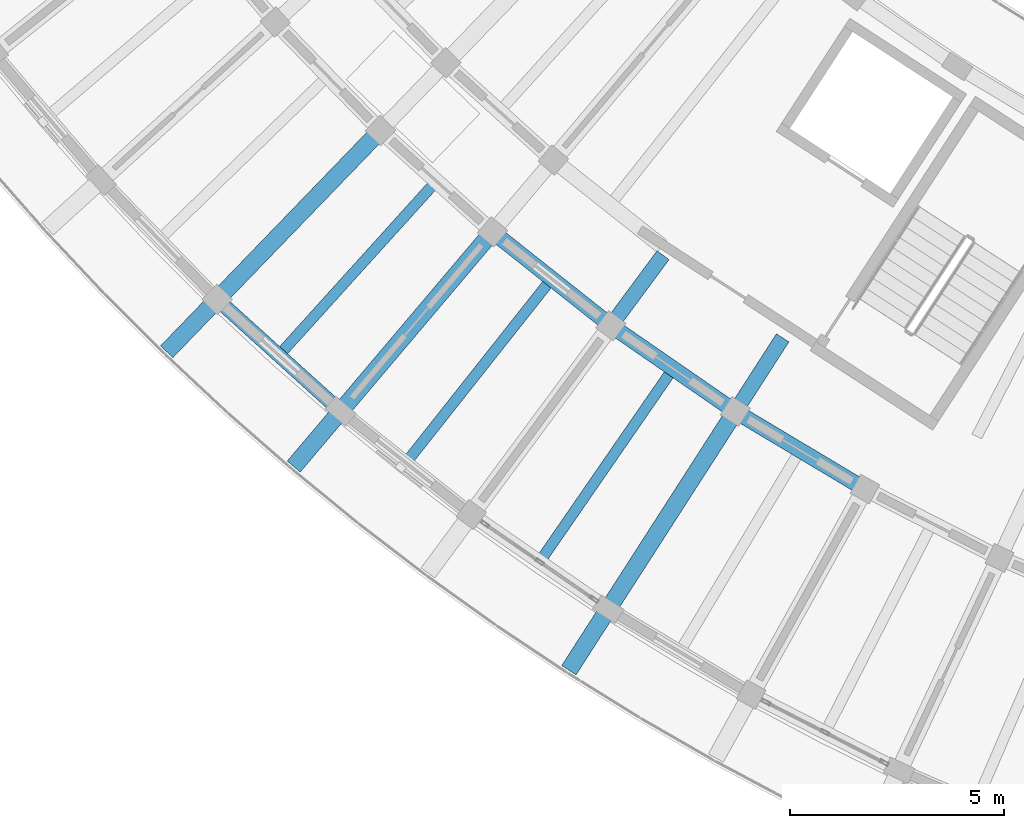
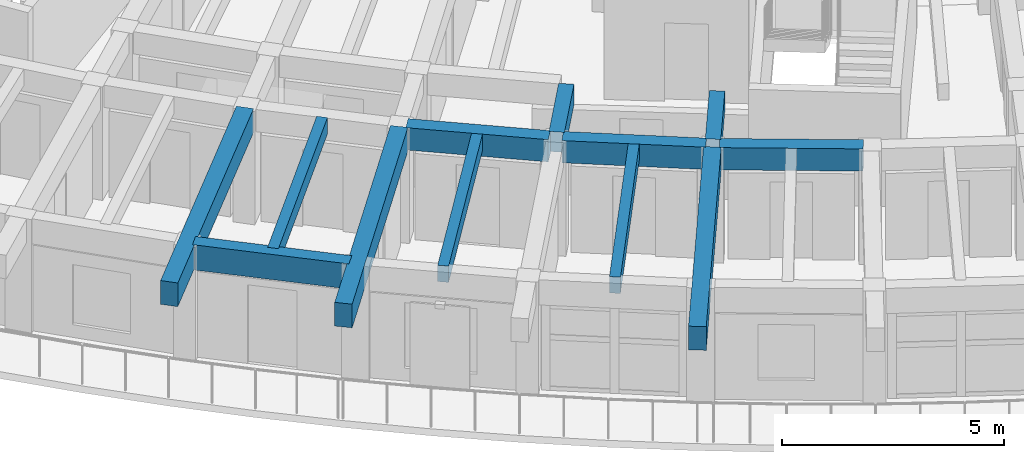
# One storey, part 5 of 62: 12 beams.
"""IFC4 building model written with IfcOpenShell, lengths in metres."""

import ifcopenshell
import ifcopenshell.guid

model = None  # the IFC model being written
_history = None  # IfcOwnerHistory: only IFC2X3 demands one
_inside = {}  # id of a spatial element -> (the spatial element, [elements in it])
_under = {}  # id of a project, library or spatial element -> (it, [spatial elements below it])
_declared = {}  # id of a project -> (the project, [libraries it declares])
_typed = {}  # id of a type object -> (the type object, [elements of that type])
_made_of = {}  # id of a material, layer set ... -> (it, [elements and type objects made of it])


def new_model(schema):
    """Start an empty IFC model of exactly this schema.

    Asked for "IFC4X3", IfcOpenShell would pick the latest addendum, in which some entities
    have other attributes; the version numbers below select the first issue.
    IFC2X3 requires an IfcOwnerHistory on every rooted entity: one is made here for all.
    """
    global model, _history
    if schema == "IFC4X3":
        model = ifcopenshell.file(schema_version=(4, 3, 0, 0))
    else:
        model = ifcopenshell.file(schema=schema)
    _inside.clear()
    _under.clear()
    _declared.clear()
    _typed.clear()
    _made_of.clear()
    _history = None
    if model.schema == "IFC2X3":
        org = make("IfcOrganization", Name="unknown")
        user = make(
            "IfcPersonAndOrganization",
            ThePerson=make("IfcPerson", FamilyName="unknown"),
            TheOrganization=org,
        )
        app = make(
            "IfcApplication",
            ApplicationDeveloper=org,
            Version="unknown",
            ApplicationFullName="unknown",
            ApplicationIdentifier="unknown",
        )
        _history = make(
            "IfcOwnerHistory",
            OwningUser=user,
            OwningApplication=app,
            ChangeAction="ADDED",
            CreationDate=0,
        )
    return model


def make(cls, **values):
    """One entity of the class cls with the attributes given. An attribute that is None is left unset."""
    return model.create_entity(
        cls, **{name: value for name, value in values.items() if value is not None}
    )


def rooted(cls, **values):
    """An entity with a GlobalId (a new one), such as an element, a storey or a relation."""
    return make(cls, GlobalId=ifcopenshell.guid.new(), OwnerHistory=_history, **values)


def si_unit(unit_type, name, prefix=None):
    """IfcSIUnit, for example si_unit("LENGTHUNIT", "METRE", prefix="MILLI")."""
    return make("IfcSIUnit", UnitType=unit_type, Prefix=prefix, Name=name)


def assignment(units):
    """IfcUnitAssignment: the units of a project."""
    return None if units is None else make("IfcUnitAssignment", Units=units)


def point(xyz):
    """IfcCartesianPoint."""
    return None if xyz is None else make("IfcCartesianPoint", Coordinates=xyz)


def direction(xyz):
    """IfcDirection."""
    return None if xyz is None else make("IfcDirection", DirectionRatios=xyz)


def frame(location, z_axis=None, x_axis=None):
    """IfcAxis2Placement3D, a coordinate frame: its origin and axes. An axis left out is left unset."""
    return make(
        "IfcAxis2Placement3D",
        Location=point(location),
        Axis=direction(z_axis),
        RefDirection=direction(x_axis),
    )


def frame_2d(location, x_axis=None):
    """IfcAxis2Placement2D, a coordinate frame in the plane: its origin and x axis."""
    return make(
        "IfcAxis2Placement2D", Location=point(location), RefDirection=direction(x_axis)
    )


def origin():
    """The frame at (0, 0, 0) with its axes left unset."""
    return frame((0.0, 0.0, 0.0))


def origin_2d():
    """The frame at (0, 0) in the plane with its x axis left unset."""
    return frame_2d((0.0, 0.0))


def place(relative_to, where):
    """IfcLocalPlacement: puts the frame where relative to a parent placement (None: the world)."""
    return make(
        "IfcLocalPlacement", PlacementRelTo=relative_to, RelativePlacement=where
    )


def context(
    kind, dimensions, precision=None, world=None, true_north=None, identifier=None
):
    """IfcGeometricRepresentationContext, for example the 3D "Model" context."""
    return make(
        "IfcGeometricRepresentationContext",
        ContextIdentifier=identifier,
        ContextType=kind,
        CoordinateSpaceDimension=dimensions,
        Precision=precision,
        WorldCoordinateSystem=world,
        TrueNorth=true_north,
    )


def subcontext(parent, identifier, kind, view, scale=None):
    """IfcGeometricRepresentationSubContext, for example "Body" below "Model"."""
    return make(
        "IfcGeometricRepresentationSubContext",
        ContextIdentifier=identifier,
        ContextType=kind,
        ParentContext=parent,
        TargetScale=scale,
        TargetView=view,
    )


def project(units=None, contexts=None):
    """IfcProject with its units and contexts."""
    return rooted(
        "IfcProject",
        Name="project",
        RepresentationContexts=contexts,
        UnitsInContext=assignment(units),
    )


def spatial(cls, under=None, at=None, **own):
    """A site, building, storey or space (cls), placed at a placement, below another one or the project."""
    s = rooted(cls, ObjectPlacement=at, **own)
    if under is not None:
        _under.setdefault(under.id(), (under, []))[1].append(s)
    return s


def profile(cls, at=None, kind="AREA", **sizes):
    """A parametric profile (cls). Its sizes go by their IFC names, for example OverallWidth=200.0."""
    return make(cls, ProfileType=kind, Position=at, **sizes)


def rectangle(**sizes):
    """IfcRectangleProfileDef."""
    return profile("IfcRectangleProfileDef", **sizes)


def extrude(swept, where, along, depth):
    """IfcExtrudedAreaSolid: the profile swept, set in the frame where, extruded along a direction by depth."""
    return make(
        "IfcExtrudedAreaSolid",
        SweptArea=swept,
        Position=where,
        ExtrudedDirection=direction(along),
        Depth=depth,
    )


def shape(context_of_items, identifier, shape_type, items):
    """IfcShapeRepresentation: the items that make up one representation, for example the "Body"."""
    return make(
        "IfcShapeRepresentation",
        ContextOfItems=context_of_items,
        RepresentationIdentifier=identifier,
        RepresentationType=shape_type,
        Items=items,
    )


def material(Name=None, Category=None):
    """IfcMaterial."""
    return make("IfcMaterial", Name=Name, Category=Category)


def material_profile(
    of_material, cross_section, Name=None, Category=None, Priority=None
):
    """IfcMaterialProfile: a cross section and its material."""
    return make(
        "IfcMaterialProfile",
        Name=Name,
        Material=of_material,
        Profile=cross_section,
        Priority=Priority,
        Category=Category,
    )


def profile_set(profiles, Name=None, composite=None):
    """IfcMaterialProfileSet."""
    return make(
        "IfcMaterialProfileSet",
        Name=Name,
        MaterialProfiles=profiles,
        CompositeProfile=composite,
    )


def made_of(thing, what):
    """Note that an element or type object is made of a material, layer set ...; save() writes the relation."""
    if what is not None:
        _made_of.setdefault(what.id(), (what, []))[1].append(thing)
    return thing


def type_object(cls, material=None, **own):
    """A type object (cls), such as IfcWallType, which elements share."""
    return made_of(rooted(cls, **own), material)


def element(
    cls,
    number,
    at=None,
    inside=None,
    cuts=None,
    type_object=None,
    material=None,
    context=None,
    identifier="Body",
    shape_type=None,
    held_by="IfcProductDefinitionShape",
    body=None,
    shapes=None,
    **own,
):
    """One element of the class cls, such as IfcWall. Its Tag is "e" and its number.

    at: its placement. inside: the storey or other place that contains it. cuts: it is an
    opening in that element (IfcRelVoidsElement). A single representation is given by context,
    identifier, shape_type and body (its items); several are given by shapes. held_by: the class
    of the entity that holds the representations. save() writes the other relations.
    """
    e = rooted(cls, Tag="e%d" % number, ObjectPlacement=at, **own)
    if body is not None:
        shapes = [shape(context, identifier, shape_type, body)]
    if shapes is not None:
        e.Representation = make(held_by, Representations=shapes)
    if inside is not None:
        _inside.setdefault(inside.id(), (inside, []))[1].append(e)
    if cuts is not None:
        rooted(
            "IfcRelVoidsElement", RelatingBuildingElement=cuts, RelatedOpeningElement=e
        )
    if type_object is not None:
        _typed.setdefault(type_object.id(), (type_object, []))[1].append(e)
    return made_of(e, material)


def aggregate(whole, parts):
    """IfcRelAggregates: a whole, such as a stair, and the parts it consists of."""
    return rooted("IfcRelAggregates", RelatingObject=whole, RelatedObjects=parts)


def save(model, path):
    """Write the relations noted so far, then the file.

    IfcRelAggregates (storeys below a building ...), IfcRelContainedInSpatialStructure (elements
    in a storey), IfcRelDefinesByType, IfcRelAssociatesMaterial and IfcRelDeclares: one each for
    every whole, place, type object, material and project.
    """
    for whole, parts in _under.values():
        aggregate(whole, parts)
    for where, things in _inside.values():
        rooted(
            "IfcRelContainedInSpatialStructure",
            RelatedElements=things,
            RelatingStructure=where,
        )
    for kind, things in _typed.values():
        rooted("IfcRelDefinesByType", RelatedObjects=things, RelatingType=kind)
    for what, things in _made_of.values():
        rooted("IfcRelAssociatesMaterial", RelatedObjects=things, RelatingMaterial=what)
    for by, libraries in _declared.values():
        rooted("IfcRelDeclares", RelatingContext=by, RelatedDefinitions=libraries)
    model.write(path)


model = new_model("IFC4")

# Units and contexts
model_context = context("Model", 3, precision=1e-05, world=origin(), true_north=direction((0.0, 1.0)))
body_context = subcontext(model_context, "Body", "Model", "MODEL_VIEW")
ifc_project = project(units=[si_unit("LENGTHUNIT", "METRE"), si_unit("AREAUNIT", "SQUARE_METRE"), si_unit("VOLUMEUNIT", "CUBIC_METRE"), si_unit("PLANEANGLEUNIT", "RADIAN"), si_unit("MASSUNIT", "GRAM", prefix="KILO")], contexts=[model_context])

# Site, building, storey
site_placement = place(None, origin())
site = spatial("IfcSite", under=ifc_project, at=site_placement, CompositionType="ELEMENT")
building_placement = place(site_placement, origin())
building = spatial("IfcBuilding", under=site, at=building_placement, Name="Tanwirah Colonnade Gardens", CompositionType="ELEMENT")
storey_placement = place(building_placement, frame((0.0, 0.0, 32.360107421875)))
storey = spatial("IfcBuildingStorey", under=building, at=storey_placement, Name="L09", CompositionType="ELEMENT", Elevation=32.360107421875)

# Beams
ifc_material_1 = material(Name="Precast concrete C40/50", Category="concrete")
ifc_material_profile_1 = material_profile(ifc_material_1, rectangle(XDim=0.360107421875, YDim=0.610107421875, at=origin_2d()), Name="PC-BM 360x610")
ifc_profile_set_1 = profile_set([ifc_material_profile_1], Name="Precast concrete C40/50")
beam_type_1 = type_object("IfcBeamType", Name="BM-PC300", PredefinedType="BEAM", material=ifc_profile_set_1)
beam_1_placement = place(storey_placement, frame((30.194580078125, 23.154052734375, 2.809814453125), z_axis=(0.783993819374, -0.620768629349, 0.0), x_axis=(0.620768629349, 0.783993819374, 0.0)))
element("IfcBeam", 1, at=beam_1_placement, inside=storey, type_object=beam_type_1, Name="Block C L09 Circumferential Beam 9-R2", PredefinedType="BEAM", context=body_context, shape_type="SweptSolid", body=[
    extrude(rectangle(XDim=0.360107421875, YDim=0.610107421875, at=origin_2d()), origin(), (0.0, 0.0, 1.0), 3.23681640625),
])
beam_2_placement = place(storey_placement, frame((32.97314453125, 20.96630859375, 2.809814453125), z_axis=(0.822889344221, -0.568201660651, 0.0), x_axis=(0.568201660651, 0.822889344221, 0.0)))
element("IfcBeam", 2, at=beam_2_placement, inside=storey, type_object=beam_type_1, Name="Block C L09 Circumferential Beam 10-R2", PredefinedType="BEAM", context=body_context, shape_type="SweptSolid", body=[
    extrude(rectangle(XDim=0.360107421875, YDim=0.610107421875, at=origin_2d()), origin(), (0.0, 0.0, 1.0), 3.237060546875),
])
beam_3_placement = place(storey_placement, frame((35.88916015625, 18.96484375, 2.809814453125), z_axis=(0.858270604513, -0.513197398111, 0.0), x_axis=(0.513197398111, 0.858270604513, 0.0)))
element("IfcBeam", 3, at=beam_3_placement, inside=storey, type_object=beam_type_1, Name="Block C L09 Circumferential Beam 11-R2", PredefinedType="BEAM", context=body_context, shape_type="SweptSolid", body=[
    extrude(rectangle(XDim=0.360107421875, YDim=0.610107421875, at=origin_2d()), origin(), (0.0, 0.0, 1.0), 3.23681640625),
])
ifc_material_profile_2 = material_profile(ifc_material_1, rectangle(XDim=0.35009765625, YDim=0.550048828125, at=origin_2d()), Name="PC-BM 350x550")
ifc_profile_set_2 = profile_set([ifc_material_profile_2], Name="Precast concrete C40/50")
beam_type_2 = type_object("IfcBeamType", Name="BM-PC350A", PredefinedType="BEAM", material=ifc_profile_set_2)
beam_4_placement = place(storey_placement, frame((34.0693359375, 22.699462890625, 2.83984375), z_axis=(-0.594889497099, -0.803807493273, 0.0), x_axis=(0.803807493273, -0.594889497099, 0.0)))
element("IfcBeam", 4, at=beam_4_placement, inside=storey, type_object=beam_type_2, Name="Block C L09 Corridor Tie Beam 10", PredefinedType="BEAM", context=body_context, shape_type="SweptSolid", body=[
    extrude(rectangle(XDim=0.35009765625, YDim=0.550048828125, at=origin_2d()), origin(), (0.0, 0.0, 1.0), 1.900146484375),
])
beam_5_placement = place(storey_placement, frame((36.869384765625, 20.765869140625, 2.83984375), z_axis=(-0.540984881989, -0.841032316537, 0.0), x_axis=(0.841032316537, -0.540984881989, 0.0)))
element("IfcBeam", 5, at=beam_5_placement, inside=storey, type_object=beam_type_2, Name="Block C L09 Corridor Tie Beam 11", PredefinedType="BEAM", context=body_context, shape_type="SweptSolid", body=[
    extrude(rectangle(XDim=0.35009765625, YDim=0.550048828125, at=origin_2d()), origin(), (0.0, 0.0, 1.0), 1.89990234375),
])
ifc_material_2 = material(Name="Precast concrete C45/55", Category="concrete")
ifc_material_profile_3 = material_profile(ifc_material_2, rectangle(XDim=0.39990234375, YDim=0.64990234375, at=origin_2d()), Name="PC-BM 400x650")
ifc_profile_set_3 = profile_set([ifc_material_profile_3], Name="Precast concrete C45/55")
beam_type_3 = type_object("IfcBeamType", Name="BM-PC400", PredefinedType="BEAM", material=ifc_profile_set_3)
for number, where, z_axis, x_axis, name in (
    (6, (27.349609375, 25.51171875, 2.789794921875), (-0.69467114255, -0.719327466254, 0.0), (0.719327466254, -0.69467114255, 0.0), "Block C L09 Outer Radial Precast Girder 8"),
    (7, (29.97998046875, 23.1328125, 2.789794921875), (-0.646119193339, -0.763236521663, 0.0), (0.763236521663, -0.646119193339, 0.0), "Block C L09 Outer Radial Precast Girder 9"),
    (8, (35.67919921875, 18.915771484375, 2.789794921875), (-0.540976349149, -0.841037805132, 0.0), (0.841037805132, -0.540976349149, 0.0), "Block C L09 Outer Radial Precast Girder 11"),
):
    element("IfcBeam", number, at=place(storey_placement, frame(where, z_axis=z_axis, x_axis=x_axis)), inside=storey, type_object=beam_type_3, Name=name, PredefinedType="BEAM", context=body_context, shape_type="SweptSolid", body=[
        extrude(rectangle(XDim=0.39990234375, YDim=0.64990234375, at=origin_2d()), origin(), (0.0, 0.0, 1.0), 7.050048828125),
    ])
ifc_material_profile_4 = material_profile(ifc_material_1, rectangle(XDim=0.25, YDim=0.449951171875, at=origin_2d()), Name="PC-JST 250x450")
ifc_profile_set_4 = profile_set([ifc_material_profile_4], Name="Precast concrete C40/50")
beam_type_4 = type_object("IfcBeamType", Name="JST-PC250", PredefinedType="JOIST", material=ifc_profile_set_4)
for number, where, z_axis, x_axis, name in (
    (9, (28.66552734375, 24.322998046875, 2.889892578125), (-0.670780841255, -0.741655622918, 0.0), (0.741655622918, -0.670780841255, 0.0), "Block C L09 Precast Floor Joist 8"),
    (10, (31.370849609375, 22.03271484375, 2.889892578125), (-0.620787347885, -0.783978997617, 0.0), (0.783978997617, -0.620787347885, 0.0), "Block C L09 Precast Floor Joist 9"),
    (11, (34.220458984375, 19.924072265625, 2.889892578125), (-0.56820792868, -0.822885016138, 0.0), (0.822885016138, -0.56820792868, 0.0), "Block C L09 Precast Floor Joist 10"),
):
    element("IfcBeam", number, at=place(storey_placement, frame(where, z_axis=z_axis, x_axis=x_axis)), inside=storey, type_object=beam_type_4, Name=name, PredefinedType="JOIST", context=body_context, shape_type="SweptSolid", body=[
        extrude(rectangle(XDim=0.25, YDim=0.449951171875, at=origin_2d()), origin(), (0.0, 0.0, 1.0), 5.260009765625),
    ])
ifc_material_profile_5 = material_profile(ifc_material_1, rectangle(XDim=0.330078125, YDim=0.68994140625, at=origin_2d()), Name="PC-SP 330x690")
ifc_profile_set_5 = profile_set([ifc_material_profile_5], Name="Precast concrete C40/50")
beam_type_5 = type_object("IfcBeamType", Name="SP-PC280", PredefinedType="SPANDREL", material=ifc_profile_set_5)
beam_6_placement = place(storey_placement, frame((23.744384765625, 21.562744140625, 2.769775390625), z_axis=(0.741682092868, -0.670751573325, 0.0), x_axis=(0.670751573325, 0.741682092868, 0.0)))
element("IfcBeam", 12, at=beam_6_placement, inside=storey, type_object=beam_type_5, Name="Block C L09 Circumferential Beam 8-R3", PredefinedType="SPANDREL", context=body_context, shape_type="SweptSolid", body=[
    extrude(rectangle(XDim=0.330078125, YDim=0.68994140625, at=origin_2d()), origin(), (0.0, 0.0, 1.0), 3.596923828125),
])

save(model, "model.ifc")
